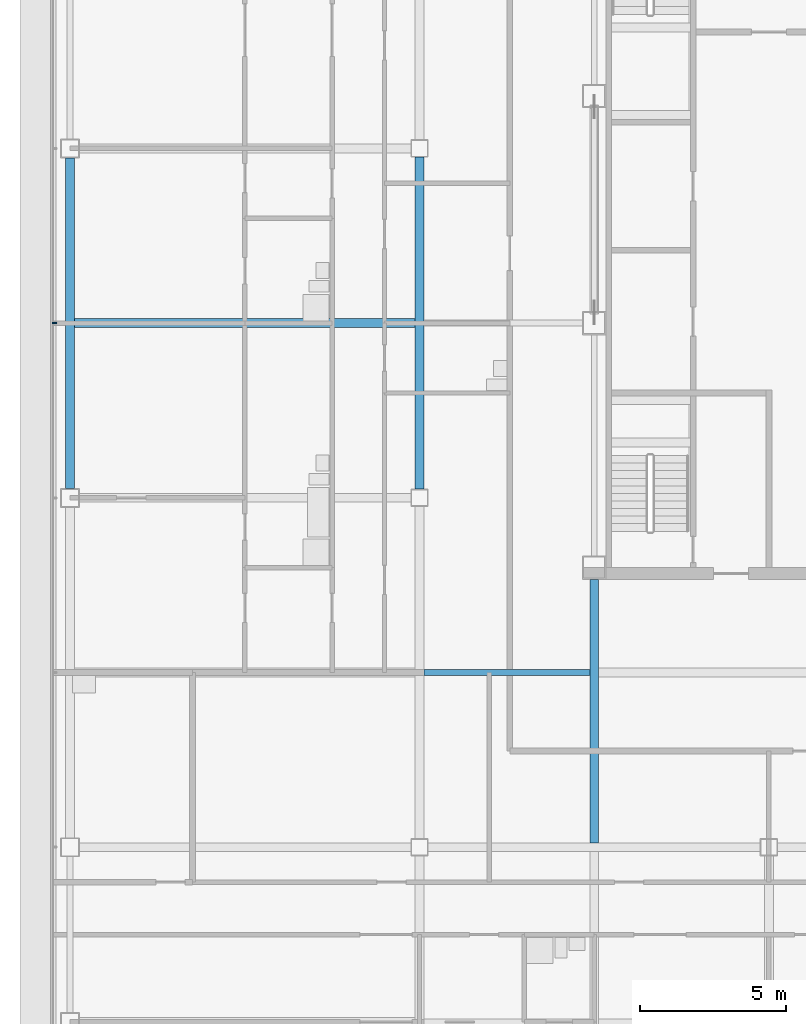
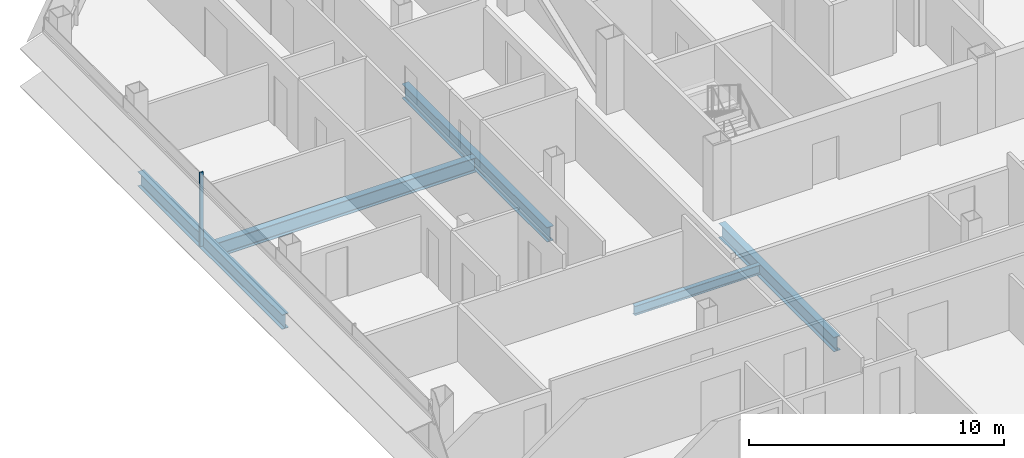
# One storey, part 6 of 27: 5 beams, 1 member, 1 element without a shape of its own.
"""IFC4 building model written with IfcOpenShell, lengths in metres."""

from ifc_helpers import new_model, si_unit, direction, frame, origin, origin_2d, place, context, subcontext, project, spatial, rectangle, i_section, extrude, material, material_profile, profile_set, type_object, element, aggregate, save


model = new_model("IFC4")

# Units and contexts
model_context = context("Model", 3, precision=1e-05, world=origin(), true_north=direction((0.0, 1.0)))
body_context = subcontext(model_context, "Body", "Model", "MODEL_VIEW")
ifc_project = project(units=[si_unit("LENGTHUNIT", "METRE"), si_unit("AREAUNIT", "SQUARE_METRE"), si_unit("VOLUMEUNIT", "CUBIC_METRE"), si_unit("PLANEANGLEUNIT", "RADIAN"), si_unit("MASSUNIT", "GRAM", prefix="KILO")], contexts=[model_context])

# Site, building, storey
site_placement = place(None, origin())
site = spatial("IfcSite", under=ifc_project, at=site_placement, CompositionType="ELEMENT")
building_placement = place(site_placement, origin())
building = spatial("IfcBuilding", under=site, at=building_placement, Name="Sorahane Residences", CompositionType="ELEMENT")
storey_placement = place(building_placement, frame((0.0, 0.0, 206.39990234375)))
storey = spatial("IfcBuildingStorey", under=building, at=storey_placement, Name="L48", CompositionType="ELEMENT", Elevation=206.39990234375)

# Curtain wall, member
ifc_material_1 = material(Name="Dark low-e glass and black anodised aluminium", Category="aluminium")
curtain_wall_type = type_object("IfcCurtainWallType", Name="Curtain wall CW-1 Typical unitised wall", PredefinedType="NOTDEFINED", material=ifc_material_1)
curtain_wall_placement = place(storey_placement, origin())
curtain_wall = element("IfcCurtainWall", 1, at=curtain_wall_placement, inside=storey, type_object=curtain_wall_type, Name="CW-1 curtain wall L48 W1", PredefinedType="NOTDEFINED")
ifc_material_2 = material(Name="Black anodised aluminium", Category="aluminium")
ifc_material_profile_1 = material_profile(ifc_material_2, rectangle(XDim=0.159912109375, YDim=0.050048828125, at=origin_2d()), Name="Curtain wall mullion CW-1 black anodised aluminium 50x160")
ifc_profile_set_1 = profile_set([ifc_material_profile_1], Name="Black anodised aluminium")
member_type = type_object("IfcMemberType", Name="Curtain wall mullion CW-1 black anodised aluminium 50x160", PredefinedType="MULLION", material=ifc_profile_set_1)
member_placement = place(storey_placement, frame((-12.5400390625, 30.0, -0.179931640625), z_axis=(0.0, 0.0, 1.0), x_axis=(-1.0, 0.0, 0.0)))
member = element("IfcMember", 2, at=member_placement, type_object=member_type, Name="CW-1 mullion L48 W1.3", PredefinedType="MULLION", context=body_context, shape_type="SweptSolid", body=[
    extrude(rectangle(XDim=0.159912109375, YDim=0.050048828125, at=origin_2d()), origin(), (0.0, 0.0, 1.0), 3.56005859375),
])
aggregate(curtain_wall, [member])

# Beams
ifc_material_3 = material(Name="Steel Q355B", Category="steel")
ifc_material_profile_2 = material_profile(ifc_material_3, i_section(OverallWidth=0.199951171875, OverallDepth=0.449951171875, WebThickness=0.009033203125, FlangeThickness=0.013916015625, FilletRadius=0.02001953125, at=origin_2d()), Name="HN 450x200x9x14")
ifc_profile_set_2 = profile_set([ifc_material_profile_2], Name="Steel Q355B")
beam_type_1 = type_object("IfcBeamType", Name="Steel floor beam HN 450x200x9x14 Q355B", PredefinedType="BEAM", material=ifc_profile_set_2)
beam_1_placement = place(storey_placement, frame((0.14990234375, 18.0, -0.40478515625), z_axis=(1.0, 0.0, 0.0), x_axis=(0.0, 1.0, 0.0)))
element("IfcBeam", 3, at=beam_1_placement, inside=storey, type_object=beam_type_1, Name="Beam L48 079", PredefinedType="BEAM", context=body_context, shape_type="SweptSolid", body=[
    extrude(i_section(OverallWidth=0.199951171875, OverallDepth=0.449951171875, WebThickness=0.009033203125, FlangeThickness=0.013916015625, FilletRadius=0.02001953125, at=origin_2d()), origin(), (0.0, 0.0, 1.0), 5.7001953125),
])
ifc_material_4 = material(Name="Steel Q355B", Category="steel")
ifc_material_profile_3 = material_profile(ifc_material_4, i_section(OverallWidth=0.300048828125, OverallDepth=0.699951171875, WebThickness=0.012939453125, FlangeThickness=0.02392578125, FilletRadius=0.028076171875, at=origin_2d()), Name="HN 700x300x13x24")
ifc_profile_set_3 = profile_set([ifc_material_profile_3], Name="Steel Q355B")
beam_type_2 = type_object("IfcBeamType", Name="Steel floor beam HN 700x300x13x24 Q355B", PredefinedType="BEAM", material=ifc_profile_set_3)
beam_2_placement = place(storey_placement, frame((-12.0, 24.324951171875, -0.52978515625), z_axis=(0.0, 1.0, 0.0), x_axis=(-1.0, 0.0, 0.0)))
element("IfcBeam", 4, at=beam_2_placement, inside=storey, type_object=beam_type_2, Name="Beam L48 022", PredefinedType="BEAM", context=body_context, shape_type="SweptSolid", body=[
    extrude(i_section(OverallWidth=0.300048828125, OverallDepth=0.699951171875, WebThickness=0.012939453125, FlangeThickness=0.02392578125, FilletRadius=0.028076171875, at=origin_2d()), origin(), (0.0, 0.0, 1.0), 11.35009765625),
])
beam_3_placement = place(storey_placement, frame((0.0, 24.300048828125, -0.52978515625), z_axis=(0.0, 1.0, 0.0), x_axis=(-1.0, 0.0, 0.0)))
element("IfcBeam", 5, at=beam_3_placement, inside=storey, type_object=beam_type_2, Name="Beam L48 026", PredefinedType="BEAM", context=body_context, shape_type="SweptSolid", body=[
    extrude(i_section(OverallWidth=0.300048828125, OverallDepth=0.699951171875, WebThickness=0.012939453125, FlangeThickness=0.02392578125, FilletRadius=0.028076171875, at=origin_2d()), origin(), (0.0, 0.0, 1.0), 11.39990234375),
])
beam_4_placement = place(storey_placement, frame((6.0, 12.14990234375, -0.52978515625), z_axis=(0.0, 1.0, 0.0), x_axis=(-1.0, 0.0, 0.0)))
element("IfcBeam", 6, at=beam_4_placement, inside=storey, type_object=beam_type_2, Name="Beam L48 029", PredefinedType="BEAM", context=body_context, shape_type="SweptSolid", body=[
    extrude(i_section(OverallWidth=0.300048828125, OverallDepth=0.699951171875, WebThickness=0.012939453125, FlangeThickness=0.02392578125, FilletRadius=0.028076171875, at=origin_2d()), origin(), (0.0, 0.0, 1.0), 9.050048828125),
])
beam_5_placement = place(storey_placement, frame((-11.85009765625, 30.0, -0.52978515625), z_axis=(1.0, 0.0, 0.0), x_axis=(0.0, 1.0, 0.0)))
element("IfcBeam", 7, at=beam_5_placement, inside=storey, type_object=beam_type_2, Name="Beam L48 085", PredefinedType="BEAM", context=body_context, shape_type="SweptSolid", body=[
    extrude(i_section(OverallWidth=0.300048828125, OverallDepth=0.699951171875, WebThickness=0.012939453125, FlangeThickness=0.02392578125, FilletRadius=0.028076171875, at=origin_2d()), origin(), (0.0, 0.0, 1.0), 11.7001953125),
])

save(model, "model.ifc")
